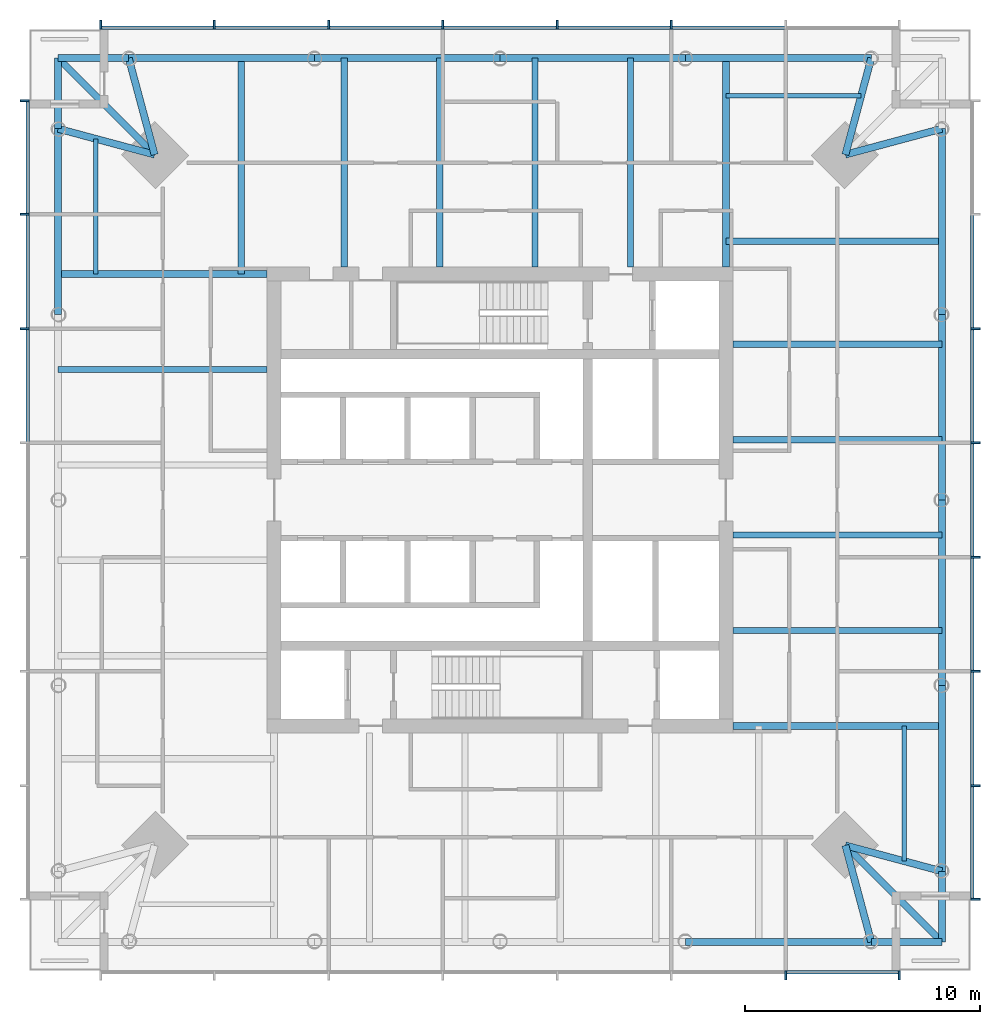
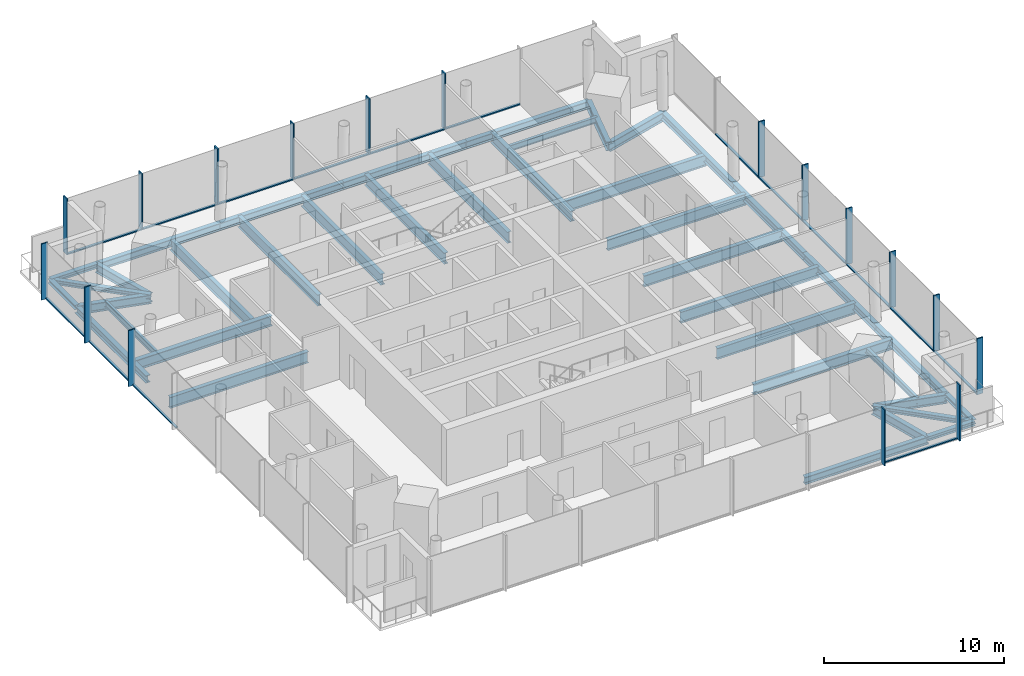
# One storey, part 2 of 7: 39 beams, 33 members, 4 elements without a shape of their own.
"""IFC4 building model written with IfcOpenShell, lengths in metres."""

from ifc_helpers import new_model, si_unit, direction, frame, origin, origin_2d, place, context, subcontext, project, spatial, rectangle, i_section, extrude, material, material_profile, profile_set, type_object, element, aggregate, save


model = new_model("IFC4")

# Units and contexts
model_context = context("Model", 3, precision=1e-05, world=origin(), true_north=direction((0.0, 1.0)))
body_context = subcontext(model_context, "Body", "Model", "MODEL_VIEW")
ifc_project = project(units=[si_unit("LENGTHUNIT", "METRE"), si_unit("AREAUNIT", "SQUARE_METRE"), si_unit("VOLUMEUNIT", "CUBIC_METRE"), si_unit("PLANEANGLEUNIT", "RADIAN"), si_unit("MASSUNIT", "GRAM", prefix="KILO")], contexts=[model_context])

# Site, building, storey
site_placement = place(None, origin())
site = spatial("IfcSite", under=ifc_project, at=site_placement, CompositionType="ELEMENT")
building_placement = place(site_placement, origin())
building = spatial("IfcBuilding", under=site, at=building_placement, Name="Ostroluk Exchange", CompositionType="ELEMENT")
storey_placement = place(building_placement, frame((0.0, 0.0, 184.39990234375)))
storey = spatial("IfcBuildingStorey", under=building, at=storey_placement, Name="L47", CompositionType="ELEMENT", Elevation=184.39990234375)

# Beams
ifc_material_1 = material(Name="Steel S355", Category="steel")
ifc_material_profile_1 = material_profile(ifc_material_1, i_section(OverallWidth=0.300048828125, OverallDepth=0.300048828125, WebThickness=0.010986328125, FlangeThickness=0.01904296875, FilletRadius=0.027099609375, at=origin_2d()), Name="HEB 300")
ifc_profile_set_1 = profile_set([ifc_material_profile_1], Name="Steel S355")
beam_type_1 = type_object("IfcBeamType", Name="Balcony beam HEB 300", PredefinedType="BEAM", material=ifc_profile_set_1)
for number, where, z_axis, x_axis, name in (
    (1, (29.221435546875, 64.778564453125, -0.329833984375), (-1.0, 0.0, 0.0), (0.0, -1.0, 0.0), "T1 north balcony beam a"),
    (2, (26.221435546875, 61.778564453125, -0.329833984375), (0.0, 1.0, 0.0), (-1.0, 0.0, 0.0), "T1 north balcony beam b"),
):
    element("IfcBeam", number, at=place(storey_placement, frame(where, z_axis=z_axis, x_axis=x_axis)), inside=storey, type_object=beam_type_1, Name=name, PredefinedType="BEAM", context=body_context, shape_type="SweptSolid", body=[
        extrude(i_section(OverallWidth=0.300048828125, OverallDepth=0.300048828125, WebThickness=0.010986328125, FlangeThickness=0.01904296875, FilletRadius=0.027099609375, at=origin_2d()), origin(), (0.0, 0.0, 1.0), 3.0),
    ])
beam_1_placement = place(storey_placement, frame((30.321533203125, 60.678466796875, -0.329833984375), z_axis=(-0.707106781187, 0.707106781187, 0.0), x_axis=(-0.707106781187, -0.707106781187, 0.0)))
element("IfcBeam", 3, at=beam_1_placement, inside=storey, type_object=beam_type_1, Name="T1 north balcony beam c", PredefinedType="BEAM", context=body_context, shape_type="SweptSolid", body=[
    extrude(i_section(OverallWidth=0.300048828125, OverallDepth=0.300048828125, WebThickness=0.010986328125, FlangeThickness=0.01904296875, FilletRadius=0.027099609375, at=origin_2d()), origin(), (0.0, 0.0, 1.0), 5.79833984375),
])
for number, where, z_axis, x_axis, name in (
    (4, (60.778564453125, 27.221435546875, -0.329833984375), (1.0, 0.0, 0.0), (0.0, 1.0, 0.0), "T1 south balcony beam a"),
    (5, (63.778564453125, 30.221435546875, -0.329833984375), (0.0, -1.0, 0.0), (1.0, 0.0, 0.0), "T1 south balcony beam b"),
):
    element("IfcBeam", number, at=place(storey_placement, frame(where, z_axis=z_axis, x_axis=x_axis)), inside=storey, type_object=beam_type_1, Name=name, PredefinedType="BEAM", context=body_context, shape_type="SweptSolid", body=[
        extrude(i_section(OverallWidth=0.300048828125, OverallDepth=0.300048828125, WebThickness=0.010986328125, FlangeThickness=0.01904296875, FilletRadius=0.027099609375, at=origin_2d()), origin(), (0.0, 0.0, 1.0), 3.0),
    ])
beam_2_placement = place(storey_placement, frame((59.678466796875, 31.321533203125, -0.329833984375), z_axis=(0.707106781187, -0.707106781187, 0.0), x_axis=(0.707106781187, 0.707106781187, 0.0)))
element("IfcBeam", 6, at=beam_2_placement, inside=storey, type_object=beam_type_1, Name="T1 south balcony beam c", PredefinedType="BEAM", context=body_context, shape_type="SweptSolid", body=[
    extrude(i_section(OverallWidth=0.300048828125, OverallDepth=0.300048828125, WebThickness=0.010986328125, FlangeThickness=0.01904296875, FilletRadius=0.027099609375, at=origin_2d()), origin(), (0.0, 0.0, 1.0), 5.79833984375),
])
ifc_material_2 = material(Name="Steel S355", Category="steel")
ifc_material_profile_2 = material_profile(ifc_material_2, i_section(OverallWidth=0.300048828125, OverallDepth=0.60009765625, WebThickness=0.015380859375, FlangeThickness=0.030029296875, FilletRadius=0.027099609375, at=origin_2d()), Name="HEB 600")
ifc_profile_set_2 = profile_set([ifc_material_profile_2], Name="Steel S355")
beam_type_2 = type_object("IfcBeamType", Name="Corner edge beam HEB 600", PredefinedType="SPANDREL", material=ifc_profile_set_2)
for number, where, z_axis, x_axis, name in (
    (7, (59.678466796875, 60.678466796875, -0.47998046875), (0.965838624319, 0.259144268261, 0.0), (-0.259144268261, 0.965838624319, 0.0), "T1 east corner edge beam a"),
    (8, (59.678466796875, 60.678466796875, -0.47998046875), (0.259144268261, 0.965838624319, 0.0), (-0.965838624319, 0.259144268261, 0.0), "T1 east corner edge beam b"),
    (9, (30.321533203125, 60.678466796875, -0.47998046875), (-0.259144268261, 0.965838624319, 0.0), (-0.965838624319, -0.259144268261, 0.0), "T1 north corner edge beam a"),
    (10, (30.321533203125, 60.678466796875, -0.47998046875), (-0.965838624319, 0.259144268261, 0.0), (-0.259144268261, -0.965838624319, 0.0), "T1 north corner edge beam b"),
    (11, (59.678466796875, 31.321533203125, -0.47998046875), (0.259144268261, -0.965838624319, 0.0), (0.965838624319, 0.259144268261, 0.0), "T1 south corner edge beam a"),
    (12, (59.678466796875, 31.321533203125, -0.47998046875), (0.965838624319, -0.259144268261, 0.0), (0.259144268261, 0.965838624319, 0.0), "T1 south corner edge beam b"),
):
    element("IfcBeam", number, at=place(storey_placement, frame(where, z_axis=z_axis, x_axis=x_axis)), inside=storey, type_object=beam_type_2, Name=name, PredefinedType="SPANDREL", context=body_context, shape_type="SweptSolid", body=[
        extrude(i_section(OverallWidth=0.300048828125, OverallDepth=0.60009765625, WebThickness=0.015380859375, FlangeThickness=0.030029296875, FilletRadius=0.027099609375, at=origin_2d()), origin(), (0.0, 0.0, 1.0), 4.2451171875),
    ])
ifc_material_3 = material(Name="Steel S355", Category="steel")
ifc_material_profile_3 = material_profile(ifc_material_3, i_section(OverallWidth=0.179931640625, OverallDepth=0.39990234375, WebThickness=0.008544921875, FlangeThickness=0.013427734375, FilletRadius=0.02099609375, at=origin_2d()), Name="IPE 400")
ifc_profile_set_3 = profile_set([ifc_material_profile_3], Name="Steel S355")
beam_type_3 = type_object("IfcBeamType", Name="Floor beam IPE 400", PredefinedType="BEAM", material=ifc_profile_set_3)
for number, where, z_axis, x_axis, name in (
    (13, (54.60009765625, 63.178466796875, -0.3798828125), (1.0, 0.0, 0.0), (0.0, 1.0, 0.0), "T1 east floor beam 6"),
    (14, (27.821533203125, 55.60009765625, -0.3798828125), (0.0, 1.0, 0.0), (-1.0, 0.0, 0.0), "T1 north floor beam 6"),
    (15, (62.178466796875, 36.39990234375, -0.3798828125), (0.0, -1.0, 0.0), (1.0, 0.0, 0.0), "T1 south floor beam 6"),
):
    element("IfcBeam", number, at=place(storey_placement, frame(where, z_axis=z_axis, x_axis=x_axis)), inside=storey, type_object=beam_type_3, Name=name, PredefinedType="BEAM", context=body_context, shape_type="SweptSolid", body=[
        extrude(i_section(OverallWidth=0.179931640625, OverallDepth=0.39990234375, WebThickness=0.008544921875, FlangeThickness=0.013427734375, FilletRadius=0.02099609375, at=origin_2d()), origin(), (0.0, 0.0, 1.0), 5.749267578125),
    ])
ifc_material_4 = material(Name="Steel S355", Category="steel")
ifc_material_profile_4 = material_profile(ifc_material_4, i_section(OverallWidth=0.264892578125, OverallDepth=0.7529296875, WebThickness=0.01318359375, FlangeThickness=0.01708984375, FilletRadius=0.01708984375, at=origin_2d()), Name="IPE 750x147")
ifc_profile_set_4 = profile_set([ifc_material_profile_4], Name="Steel S355")
beam_type_4 = type_object("IfcBeamType", Name="Floor beam IPE 750x147", PredefinedType="BEAM", material=ifc_profile_set_4)
for number, where, z_axis, x_axis, name in (
    (16, (54.89990234375, 40.4541015625, -0.556396484375), (1.0, 0.0, 0.0), (0.0, 1.0, 0.0), "T1 east floor beam 1"),
    (17, (54.89990234375, 44.508056640625, -0.556396484375), (1.0, 0.0, 0.0), (0.0, 1.0, 0.0), "T1 east floor beam 2"),
    (18, (54.89990234375, 48.562255859375, -0.556396484375), (1.0, 0.0, 0.0), (0.0, 1.0, 0.0), "T1 east floor beam 3"),
    (19, (54.89990234375, 52.6162109375, -0.556396484375), (1.0, 0.0, 0.0), (0.0, 1.0, 0.0), "T1 east floor beam 4"),
):
    element("IfcBeam", number, at=place(storey_placement, frame(where, z_axis=z_axis, x_axis=x_axis)), inside=storey, type_object=beam_type_4, Name=name, PredefinedType="BEAM", context=body_context, shape_type="SweptSolid", body=[
        extrude(i_section(OverallWidth=0.264892578125, OverallDepth=0.7529296875, WebThickness=0.01318359375, FlangeThickness=0.01708984375, FilletRadius=0.01708984375, at=origin_2d()), origin(), (0.0, 0.0, 1.0), 8.878662109375),
    ])
beam_3_placement = place(storey_placement, frame((54.60009765625, 57.0, -0.556396484375), z_axis=(1.0, 0.0, 0.0), x_axis=(0.0, 1.0, 0.0)))
element("IfcBeam", 20, at=beam_3_placement, inside=storey, type_object=beam_type_4, Name="T1 east floor beam 5", PredefinedType="BEAM", context=body_context, shape_type="SweptSolid", body=[
    extrude(i_section(OverallWidth=0.264892578125, OverallDepth=0.7529296875, WebThickness=0.01318359375, FlangeThickness=0.01708984375, FilletRadius=0.01708984375, at=origin_2d()), origin(), (0.0, 0.0, 1.0), 9.178466796875),
])
for number, where, z_axis, x_axis, name in (
    (21, (50.5458984375, 55.89990234375, -0.556396484375), (0.0, 1.0, 0.0), (-1.0, 0.0, 0.0), "T1 north floor beam 1"),
    (22, (46.491943359375, 55.89990234375, -0.556396484375), (0.0, 1.0, 0.0), (-1.0, 0.0, 0.0), "T1 north floor beam 2"),
    (23, (42.437744140625, 55.89990234375, -0.556396484375), (0.0, 1.0, 0.0), (-1.0, 0.0, 0.0), "T1 north floor beam 3"),
    (24, (38.3837890625, 55.89990234375, -0.556396484375), (0.0, 1.0, 0.0), (-1.0, 0.0, 0.0), "T1 north floor beam 4"),
):
    element("IfcBeam", number, at=place(storey_placement, frame(where, z_axis=z_axis, x_axis=x_axis)), inside=storey, type_object=beam_type_4, Name=name, PredefinedType="BEAM", context=body_context, shape_type="SweptSolid", body=[
        extrude(i_section(OverallWidth=0.264892578125, OverallDepth=0.7529296875, WebThickness=0.01318359375, FlangeThickness=0.01708984375, FilletRadius=0.01708984375, at=origin_2d()), origin(), (0.0, 0.0, 1.0), 8.878662109375),
    ])
beam_4_placement = place(storey_placement, frame((34.0, 55.60009765625, -0.556396484375), z_axis=(0.0, 1.0, 0.0), x_axis=(-1.0, 0.0, 0.0)))
element("IfcBeam", 25, at=beam_4_placement, inside=storey, type_object=beam_type_4, Name="T1 north floor beam 5", PredefinedType="BEAM", context=body_context, shape_type="SweptSolid", body=[
    extrude(i_section(OverallWidth=0.264892578125, OverallDepth=0.7529296875, WebThickness=0.01318359375, FlangeThickness=0.01708984375, FilletRadius=0.01708984375, at=origin_2d()), origin(), (0.0, 0.0, 1.0), 9.178466796875),
])
beam_5_placement = place(storey_placement, frame((35.10009765625, 51.5458984375, -0.556396484375), z_axis=(-1.0, 0.0, 0.0), x_axis=(0.0, -1.0, 0.0)))
element("IfcBeam", 26, at=beam_5_placement, inside=storey, type_object=beam_type_4, Name="T1 west floor beam 1", PredefinedType="BEAM", context=body_context, shape_type="SweptSolid", body=[
    extrude(i_section(OverallWidth=0.264892578125, OverallDepth=0.7529296875, WebThickness=0.01318359375, FlangeThickness=0.01708984375, FilletRadius=0.01708984375, at=origin_2d()), origin(), (0.0, 0.0, 1.0), 8.878662109375),
])
ifc_material_5 = material(Name="Steel S355", Category="steel")
ifc_material_profile_5 = material_profile(ifc_material_5, i_section(OverallWidth=0.300048828125, OverallDepth=0.699951171875, WebThickness=0.01708984375, FlangeThickness=0.031982421875, FilletRadius=0.027099609375, at=origin_2d()), Name="HEB 700")
ifc_profile_set_5 = profile_set([ifc_material_profile_5], Name="Steel S355")
beam_type_5 = type_object("IfcBeamType", Name="Girder HEB 700", PredefinedType="BEAM", material=ifc_profile_set_5)
for number, where, z_axis, x_axis, name in (
    (27, (54.60009765625, 55.89990234375, -0.52978515625), (0.0, 1.0, 0.0), (-1.0, 0.0, 0.0), "T1 east girder"),
    (28, (35.10009765625, 55.60009765625, -0.52978515625), (-1.0, 0.0, 0.0), (0.0, -1.0, 0.0), "T1 north girder"),
    (29, (54.89990234375, 36.39990234375, -0.52978515625), (1.0, 0.0, 0.0), (0.0, 1.0, 0.0), "T1 south girder"),
):
    element("IfcBeam", number, at=place(storey_placement, frame(where, z_axis=z_axis, x_axis=x_axis)), inside=storey, type_object=beam_type_5, Name=name, PredefinedType="BEAM", context=body_context, shape_type="SweptSolid", body=[
        extrude(i_section(OverallWidth=0.300048828125, OverallDepth=0.699951171875, WebThickness=0.01708984375, FlangeThickness=0.031982421875, FilletRadius=0.027099609375, at=origin_2d()), origin(), (0.0, 0.0, 1.0), 8.878662109375),
    ])
ifc_material_6 = material(Name="Steel S355", Category="steel")
ifc_material_profile_6 = material_profile(ifc_material_6, i_section(OverallWidth=0.300048828125, OverallDepth=0.5, WebThickness=0.014404296875, FlangeThickness=0.028076171875, FilletRadius=0.027099609375, at=origin_2d()), Name="HEB 500")
ifc_profile_set_6 = profile_set([ifc_material_profile_6], Name="Steel S355")
beam_type_6 = type_object("IfcBeamType", Name="Moment-connected edge beam HEB 500", PredefinedType="SPANDREL", material=ifc_profile_set_6)
beam_6_placement = place(storey_placement, frame((63.778564453125, 30.221435546875, -0.429931640625), z_axis=(0.0, 1.0, 0.0), x_axis=(-1.0, 0.0, 0.0)))
element("IfcBeam", 30, at=beam_6_placement, inside=storey, type_object=beam_type_6, Name="T1 east edge beam 1", PredefinedType="SPANDREL", context=body_context, shape_type="SweptSolid", body=[
    extrude(i_section(OverallWidth=0.300048828125, OverallDepth=0.5, WebThickness=0.014404296875, FlangeThickness=0.028076171875, FilletRadius=0.027099609375, at=origin_2d()), origin(), (0.0, 0.0, 1.0), 7.88916015625),
])
for number, where, z_axis, x_axis, name in (
    (31, (63.778564453125, 38.110595703125, -0.429931640625), (0.0, 1.0, 0.0), (-1.0, 0.0, 0.0), "T1 east edge beam 2"),
    (32, (63.778564453125, 46.0, -0.429931640625), (0.0, 1.0, 0.0), (-1.0, 0.0, 0.0), "T1 east edge beam 3"),
):
    element("IfcBeam", number, at=place(storey_placement, frame(where, z_axis=z_axis, x_axis=x_axis)), inside=storey, type_object=beam_type_6, Name=name, PredefinedType="SPANDREL", context=body_context, shape_type="SweptSolid", body=[
        extrude(i_section(OverallWidth=0.300048828125, OverallDepth=0.5, WebThickness=0.014404296875, FlangeThickness=0.028076171875, FilletRadius=0.027099609375, at=origin_2d()), origin(), (0.0, 0.0, 1.0), 7.889404296875),
    ])
for number, where, z_axis, x_axis, name in (
    (33, (63.778564453125, 53.889404296875, -0.429931640625), (0.0, 1.0, 0.0), (-1.0, 0.0, 0.0), "T1 east edge beam 4"),
    (34, (60.778564453125, 64.778564453125, -0.429931640625), (-1.0, 0.0, 0.0), (0.0, -1.0, 0.0), "T1 north edge beam 1"),
):
    element("IfcBeam", number, at=place(storey_placement, frame(where, z_axis=z_axis, x_axis=x_axis)), inside=storey, type_object=beam_type_6, Name=name, PredefinedType="SPANDREL", context=body_context, shape_type="SweptSolid", body=[
        extrude(i_section(OverallWidth=0.300048828125, OverallDepth=0.5, WebThickness=0.014404296875, FlangeThickness=0.028076171875, FilletRadius=0.027099609375, at=origin_2d()), origin(), (0.0, 0.0, 1.0), 7.88916015625),
    ])
for number, where, z_axis, x_axis, name in (
    (35, (52.889404296875, 64.778564453125, -0.429931640625), (-1.0, 0.0, 0.0), (0.0, -1.0, 0.0), "T1 north edge beam 2"),
    (36, (45.0, 64.778564453125, -0.429931640625), (-1.0, 0.0, 0.0), (0.0, -1.0, 0.0), "T1 north edge beam 3"),
):
    element("IfcBeam", number, at=place(storey_placement, frame(where, z_axis=z_axis, x_axis=x_axis)), inside=storey, type_object=beam_type_6, Name=name, PredefinedType="SPANDREL", context=body_context, shape_type="SweptSolid", body=[
        extrude(i_section(OverallWidth=0.300048828125, OverallDepth=0.5, WebThickness=0.014404296875, FlangeThickness=0.028076171875, FilletRadius=0.027099609375, at=origin_2d()), origin(), (0.0, 0.0, 1.0), 7.889404296875),
    ])
for number, where, z_axis, x_axis, name in (
    (37, (37.110595703125, 64.778564453125, -0.429931640625), (-1.0, 0.0, 0.0), (0.0, -1.0, 0.0), "T1 north edge beam 4"),
    (38, (26.221435546875, 61.778564453125, -0.429931640625), (0.0, -1.0, 0.0), (1.0, 0.0, 0.0), "T1 west edge beam 1"),
    (39, (52.889404296875, 27.221435546875, -0.429931640625), (1.0, 0.0, 0.0), (0.0, 1.0, 0.0), "T1 south edge beam 4"),
):
    element("IfcBeam", number, at=place(storey_placement, frame(where, z_axis=z_axis, x_axis=x_axis)), inside=storey, type_object=beam_type_6, Name=name, PredefinedType="SPANDREL", context=body_context, shape_type="SweptSolid", body=[
        extrude(i_section(OverallWidth=0.300048828125, OverallDepth=0.5, WebThickness=0.014404296875, FlangeThickness=0.028076171875, FilletRadius=0.027099609375, at=origin_2d()), origin(), (0.0, 0.0, 1.0), 7.88916015625),
    ])

# Curtain wall, member
ifc_material_7 = material(Name="Laminated clear glass", Category="glass")
curtain_wall_type = type_object("IfcCurtainWallType", Name="Office tower facade", PredefinedType="USERDEFINED", material=ifc_material_7)
curtain_wall_1_placement = place(storey_placement, origin())
curtain_wall_1 = element("IfcCurtainWall", 40, at=curtain_wall_1_placement, inside=storey, type_object=curtain_wall_type, Name="Office tower south facade L47", ObjectType="UNITISED CURTAIN WALL", PredefinedType="USERDEFINED")
ifc_material_8 = material(Name="Aluminium mullion", Category="aluminium")
ifc_material_profile_7 = material_profile(ifc_material_8, rectangle(XDim=0.14990234375, YDim=0.080078125, at=origin_2d()), Name="Sill transom 80 x 150")
ifc_profile_set_7 = profile_set([ifc_material_profile_7], Name="Aluminium mullion")
member_type_1 = type_object("IfcMemberType", Name="Sill transom 80 x 150", PredefinedType="USERDEFINED", material=ifc_profile_set_7)
member_1_placement = place(storey_placement, frame((57.182861328125, 25.925048828125, 0.0400390625), z_axis=(1.0, 0.0, 0.0), x_axis=(0.0, 1.0, 0.0)))
member_1 = element("IfcMember", 41, at=member_1_placement, type_object=member_type_1, Name="CW-O1 transom 7.1", ObjectType="TRANSOM", PredefinedType="USERDEFINED", context=body_context, shape_type="SweptSolid", body=[
    extrude(rectangle(XDim=0.14990234375, YDim=0.080078125, at=origin_2d()), origin(), (0.0, 0.0, 1.0), 4.737060546875),
])

# Curtain wall, members
curtain_wall_2_placement = place(storey_placement, origin())
curtain_wall_2 = element("IfcCurtainWall", 42, at=curtain_wall_2_placement, inside=storey, type_object=curtain_wall_type, Name="Office tower east facade L47", ObjectType="UNITISED CURTAIN WALL", PredefinedType="USERDEFINED")
member_2_placement = place(storey_placement, frame((65.074951171875, 29.080078125, 0.0400390625), z_axis=(0.0, 1.0, 0.0), x_axis=(-1.0, 0.0, 0.0)))
member_2 = element("IfcMember", 43, at=member_2_placement, type_object=member_type_1, Name="CW-O1 transom 1.1", ObjectType="TRANSOM", PredefinedType="USERDEFINED", context=body_context, shape_type="SweptSolid", body=[
    extrude(rectangle(XDim=0.14990234375, YDim=0.080078125, at=origin_2d()), origin(), (0.0, 0.0, 1.0), 4.737060546875),
])
member_3_placement = place(storey_placement, frame((65.074951171875, 33.897216796875, 0.0400390625), z_axis=(0.0, 1.0, 0.0), x_axis=(-1.0, 0.0, 0.0)))
member_3 = element("IfcMember", 44, at=member_3_placement, type_object=member_type_1, Name="CW-O1 transom 2.1", ObjectType="TRANSOM", PredefinedType="USERDEFINED", context=body_context, shape_type="SweptSolid", body=[
    extrude(rectangle(XDim=0.14990234375, YDim=0.080078125, at=origin_2d()), origin(), (0.0, 0.0, 1.0), 4.777099609375),
])
member_4_placement = place(storey_placement, frame((65.074951171875, 38.75439453125, 0.0400390625), z_axis=(0.0, 1.0, 0.0), x_axis=(-1.0, 0.0, 0.0)))
member_4 = element("IfcMember", 45, at=member_4_placement, type_object=member_type_1, Name="CW-O1 transom 3.1", ObjectType="TRANSOM", PredefinedType="USERDEFINED", context=body_context, shape_type="SweptSolid", body=[
    extrude(rectangle(XDim=0.14990234375, YDim=0.080078125, at=origin_2d()), origin(), (0.0, 0.0, 1.0), 4.777099609375),
])
member_5_placement = place(storey_placement, frame((65.074951171875, 43.611328125, 0.0400390625), z_axis=(0.0, 1.0, 0.0), x_axis=(-1.0, 0.0, 0.0)))
member_5 = element("IfcMember", 46, at=member_5_placement, type_object=member_type_1, Name="CW-O1 transom 4.1", ObjectType="TRANSOM", PredefinedType="USERDEFINED", context=body_context, shape_type="SweptSolid", body=[
    extrude(rectangle(XDim=0.14990234375, YDim=0.080078125, at=origin_2d()), origin(), (0.0, 0.0, 1.0), 4.77734375),
])
member_6_placement = place(storey_placement, frame((65.074951171875, 48.468505859375, 0.0400390625), z_axis=(0.0, 1.0, 0.0), x_axis=(-1.0, 0.0, 0.0)))
member_6 = element("IfcMember", 47, at=member_6_placement, type_object=member_type_1, Name="CW-O1 transom 5.1", ObjectType="TRANSOM", PredefinedType="USERDEFINED", context=body_context, shape_type="SweptSolid", body=[
    extrude(rectangle(XDim=0.14990234375, YDim=0.080078125, at=origin_2d()), origin(), (0.0, 0.0, 1.0), 4.777099609375),
])
member_7_placement = place(storey_placement, frame((65.074951171875, 53.32568359375, 0.0400390625), z_axis=(0.0, 1.0, 0.0), x_axis=(-1.0, 0.0, 0.0)))
member_7 = element("IfcMember", 48, at=member_7_placement, type_object=member_type_1, Name="CW-O1 transom 6.1", ObjectType="TRANSOM", PredefinedType="USERDEFINED", context=body_context, shape_type="SweptSolid", body=[
    extrude(rectangle(XDim=0.14990234375, YDim=0.080078125, at=origin_2d()), origin(), (0.0, 0.0, 1.0), 4.777099609375),
])

curtain_wall_3_placement = place(storey_placement, origin())
curtain_wall_3 = element("IfcCurtainWall", 49, at=curtain_wall_3_placement, inside=storey, type_object=curtain_wall_type, Name="Office tower north facade L47", ObjectType="UNITISED CURTAIN WALL", PredefinedType="USERDEFINED")
member_8_placement = place(storey_placement, frame((57.102783203125, 66.074951171875, 0.0400390625), z_axis=(-1.0, 0.0, 0.0), x_axis=(0.0, -1.0, 0.0)))
member_8 = element("IfcMember", 50, at=member_8_placement, type_object=member_type_1, Name="CW-O1 transom 2.1", ObjectType="TRANSOM", PredefinedType="USERDEFINED", context=body_context, shape_type="SweptSolid", body=[
    extrude(rectangle(XDim=0.14990234375, YDim=0.080078125, at=origin_2d()), origin(), (0.0, 0.0, 1.0), 4.777099609375),
])
member_9_placement = place(storey_placement, frame((52.24560546875, 66.074951171875, 0.0400390625), z_axis=(-1.0, 0.0, 0.0), x_axis=(0.0, -1.0, 0.0)))
member_9 = element("IfcMember", 51, at=member_9_placement, type_object=member_type_1, Name="CW-O1 transom 3.1", ObjectType="TRANSOM", PredefinedType="USERDEFINED", context=body_context, shape_type="SweptSolid", body=[
    extrude(rectangle(XDim=0.14990234375, YDim=0.080078125, at=origin_2d()), origin(), (0.0, 0.0, 1.0), 4.777099609375),
])
member_10_placement = place(storey_placement, frame((47.388671875, 66.074951171875, 0.0400390625), z_axis=(-1.0, 0.0, 0.0), x_axis=(0.0, -1.0, 0.0)))
member_10 = element("IfcMember", 52, at=member_10_placement, type_object=member_type_1, Name="CW-O1 transom 4.1", ObjectType="TRANSOM", PredefinedType="USERDEFINED", context=body_context, shape_type="SweptSolid", body=[
    extrude(rectangle(XDim=0.14990234375, YDim=0.080078125, at=origin_2d()), origin(), (0.0, 0.0, 1.0), 4.77734375),
])
member_11_placement = place(storey_placement, frame((42.531494140625, 66.074951171875, 0.0400390625), z_axis=(-1.0, 0.0, 0.0), x_axis=(0.0, -1.0, 0.0)))
member_11 = element("IfcMember", 53, at=member_11_placement, type_object=member_type_1, Name="CW-O1 transom 5.1", ObjectType="TRANSOM", PredefinedType="USERDEFINED", context=body_context, shape_type="SweptSolid", body=[
    extrude(rectangle(XDim=0.14990234375, YDim=0.080078125, at=origin_2d()), origin(), (0.0, 0.0, 1.0), 4.777099609375),
])
member_12_placement = place(storey_placement, frame((37.67431640625, 66.074951171875, 0.0400390625), z_axis=(-1.0, 0.0, 0.0), x_axis=(0.0, -1.0, 0.0)))
member_12 = element("IfcMember", 54, at=member_12_placement, type_object=member_type_1, Name="CW-O1 transom 6.1", ObjectType="TRANSOM", PredefinedType="USERDEFINED", context=body_context, shape_type="SweptSolid", body=[
    extrude(rectangle(XDim=0.14990234375, YDim=0.080078125, at=origin_2d()), origin(), (0.0, 0.0, 1.0), 4.777099609375),
])
member_13_placement = place(storey_placement, frame((32.817138671875, 66.074951171875, 0.0400390625), z_axis=(-1.0, 0.0, 0.0), x_axis=(0.0, -1.0, 0.0)))
member_13 = element("IfcMember", 55, at=member_13_placement, type_object=member_type_1, Name="CW-O1 transom 7.1", ObjectType="TRANSOM", PredefinedType="USERDEFINED", context=body_context, shape_type="SweptSolid", body=[
    extrude(rectangle(XDim=0.14990234375, YDim=0.080078125, at=origin_2d()), origin(), (0.0, 0.0, 1.0), 4.737060546875),
])

curtain_wall_4_placement = place(storey_placement, origin())
curtain_wall_4 = element("IfcCurtainWall", 56, at=curtain_wall_4_placement, inside=storey, type_object=curtain_wall_type, Name="Office tower west facade L47", ObjectType="UNITISED CURTAIN WALL", PredefinedType="USERDEFINED")
member_14_placement = place(storey_placement, frame((24.925048828125, 62.919921875, 0.0400390625), z_axis=(0.0, -1.0, 0.0), x_axis=(1.0, 0.0, 0.0)))
member_14 = element("IfcMember", 57, at=member_14_placement, type_object=member_type_1, Name="CW-O1 transom 1.1", ObjectType="TRANSOM", PredefinedType="USERDEFINED", context=body_context, shape_type="SweptSolid", body=[
    extrude(rectangle(XDim=0.14990234375, YDim=0.080078125, at=origin_2d()), origin(), (0.0, 0.0, 1.0), 4.737060546875),
])
member_15_placement = place(storey_placement, frame((24.925048828125, 58.102783203125, 0.0400390625), z_axis=(0.0, -1.0, 0.0), x_axis=(1.0, 0.0, 0.0)))
member_15 = element("IfcMember", 58, at=member_15_placement, type_object=member_type_1, Name="CW-O1 transom 2.1", ObjectType="TRANSOM", PredefinedType="USERDEFINED", context=body_context, shape_type="SweptSolid", body=[
    extrude(rectangle(XDim=0.14990234375, YDim=0.080078125, at=origin_2d()), origin(), (0.0, 0.0, 1.0), 4.777099609375),
])
member_16_placement = place(storey_placement, frame((24.925048828125, 53.24560546875, 0.0400390625), z_axis=(0.0, -1.0, 0.0), x_axis=(1.0, 0.0, 0.0)))
member_16 = element("IfcMember", 59, at=member_16_placement, type_object=member_type_1, Name="CW-O1 transom 3.1", ObjectType="TRANSOM", PredefinedType="USERDEFINED", context=body_context, shape_type="SweptSolid", body=[
    extrude(rectangle(XDim=0.14990234375, YDim=0.080078125, at=origin_2d()), origin(), (0.0, 0.0, 1.0), 4.777099609375),
])

# Member
ifc_material_9 = material(Name="Aluminium mullion with limestone facing", Category="masonry")
ifc_material_profile_8 = material_profile(ifc_material_9, rectangle(XDim=0.39990234375, YDim=0.080078125, at=origin_2d()), Name="Tracery mullion 80 x 400")
ifc_profile_set_8 = profile_set([ifc_material_profile_8], Name="Aluminium mullion with limestone facing")
member_type_2 = type_object("IfcMemberType", Name="Tracery mullion 80 x 400", PredefinedType="MULLION", material=ifc_profile_set_8)
member_17_placement = place(storey_placement, frame((57.142822265625, 25.800048828125, 0.0), z_axis=(0.0, 0.0, 1.0), x_axis=(0.0, 1.0, 0.0)))
member_17 = element("IfcMember", 60, at=member_17_placement, type_object=member_type_2, Name="CW-O1 mullion 7", PredefinedType="MULLION", context=body_context, shape_type="SweptSolid", body=[
    extrude(rectangle(XDim=0.39990234375, YDim=0.080078125, at=origin_2d()), origin(), (0.0, 0.0, 1.0), 3.800048828125),
])

member_18_placement = place(storey_placement, frame((61.9599609375, 25.800048828125, 0.0), z_axis=(0.0, 0.0, 1.0), x_axis=(0.0, 1.0, 0.0)))
member_18 = element("IfcMember", 61, at=member_18_placement, type_object=member_type_2, Name="CW-O1 mullion 8", PredefinedType="MULLION", context=body_context, shape_type="SweptSolid", body=[
    extrude(rectangle(XDim=0.39990234375, YDim=0.080078125, at=origin_2d()), origin(), (0.0, 0.0, 1.0), 3.800048828125),
])

aggregate(curtain_wall_1, [member_17, member_18, member_1])

member_19_placement = place(storey_placement, frame((65.199951171875, 29.0400390625, 0.0), z_axis=(0.0, 0.0, 1.0), x_axis=(-1.0, 0.0, 0.0)))
member_19 = element("IfcMember", 62, at=member_19_placement, type_object=member_type_2, Name="CW-O1 mullion 1", PredefinedType="MULLION", context=body_context, shape_type="SweptSolid", body=[
    extrude(rectangle(XDim=0.39990234375, YDim=0.080078125, at=origin_2d()), origin(), (0.0, 0.0, 1.0), 3.800048828125),
])

member_20_placement = place(storey_placement, frame((65.199951171875, 33.857177734375, 0.0), z_axis=(0.0, 0.0, 1.0), x_axis=(-1.0, 0.0, 0.0)))
member_20 = element("IfcMember", 63, at=member_20_placement, type_object=member_type_2, Name="CW-O1 mullion 2", PredefinedType="MULLION", context=body_context, shape_type="SweptSolid", body=[
    extrude(rectangle(XDim=0.39990234375, YDim=0.080078125, at=origin_2d()), origin(), (0.0, 0.0, 1.0), 3.800048828125),
])

member_21_placement = place(storey_placement, frame((65.199951171875, 38.71435546875, 0.0), z_axis=(0.0, 0.0, 1.0), x_axis=(-1.0, 0.0, 0.0)))
member_21 = element("IfcMember", 64, at=member_21_placement, type_object=member_type_2, Name="CW-O1 mullion 3", PredefinedType="MULLION", context=body_context, shape_type="SweptSolid", body=[
    extrude(rectangle(XDim=0.39990234375, YDim=0.080078125, at=origin_2d()), origin(), (0.0, 0.0, 1.0), 3.800048828125),
])

member_22_placement = place(storey_placement, frame((65.199951171875, 43.571533203125, 0.0), z_axis=(0.0, 0.0, 1.0), x_axis=(-1.0, 0.0, 0.0)))
member_22 = element("IfcMember", 65, at=member_22_placement, type_object=member_type_2, Name="CW-O1 mullion 4", PredefinedType="MULLION", context=body_context, shape_type="SweptSolid", body=[
    extrude(rectangle(XDim=0.39990234375, YDim=0.080078125, at=origin_2d()), origin(), (0.0, 0.0, 1.0), 3.800048828125),
])

member_23_placement = place(storey_placement, frame((65.199951171875, 48.428466796875, 0.0), z_axis=(0.0, 0.0, 1.0), x_axis=(-1.0, 0.0, 0.0)))
member_23 = element("IfcMember", 66, at=member_23_placement, type_object=member_type_2, Name="CW-O1 mullion 5", PredefinedType="MULLION", context=body_context, shape_type="SweptSolid", body=[
    extrude(rectangle(XDim=0.39990234375, YDim=0.080078125, at=origin_2d()), origin(), (0.0, 0.0, 1.0), 3.800048828125),
])

member_24_placement = place(storey_placement, frame((65.199951171875, 53.28564453125, 0.0), z_axis=(0.0, 0.0, 1.0), x_axis=(-1.0, 0.0, 0.0)))
member_24 = element("IfcMember", 67, at=member_24_placement, type_object=member_type_2, Name="CW-O1 mullion 6", PredefinedType="MULLION", context=body_context, shape_type="SweptSolid", body=[
    extrude(rectangle(XDim=0.39990234375, YDim=0.080078125, at=origin_2d()), origin(), (0.0, 0.0, 1.0), 3.800048828125),
])

aggregate(curtain_wall_2, [member_19, member_20, member_21, member_22, member_23, member_24, member_2, member_3, member_4, member_5, member_6, member_7])

member_25_placement = place(storey_placement, frame((52.28564453125, 66.199951171875, 0.0), z_axis=(0.0, 0.0, 1.0), x_axis=(0.0, -1.0, 0.0)))
member_25 = element("IfcMember", 68, at=member_25_placement, type_object=member_type_2, Name="CW-O1 mullion 3", PredefinedType="MULLION", context=body_context, shape_type="SweptSolid", body=[
    extrude(rectangle(XDim=0.39990234375, YDim=0.080078125, at=origin_2d()), origin(), (0.0, 0.0, 1.0), 3.800048828125),
])

member_26_placement = place(storey_placement, frame((47.428466796875, 66.199951171875, 0.0), z_axis=(0.0, 0.0, 1.0), x_axis=(0.0, -1.0, 0.0)))
member_26 = element("IfcMember", 69, at=member_26_placement, type_object=member_type_2, Name="CW-O1 mullion 4", PredefinedType="MULLION", context=body_context, shape_type="SweptSolid", body=[
    extrude(rectangle(XDim=0.39990234375, YDim=0.080078125, at=origin_2d()), origin(), (0.0, 0.0, 1.0), 3.800048828125),
])

member_27_placement = place(storey_placement, frame((42.571533203125, 66.199951171875, 0.0), z_axis=(0.0, 0.0, 1.0), x_axis=(0.0, -1.0, 0.0)))
member_27 = element("IfcMember", 70, at=member_27_placement, type_object=member_type_2, Name="CW-O1 mullion 5", PredefinedType="MULLION", context=body_context, shape_type="SweptSolid", body=[
    extrude(rectangle(XDim=0.39990234375, YDim=0.080078125, at=origin_2d()), origin(), (0.0, 0.0, 1.0), 3.800048828125),
])

member_28_placement = place(storey_placement, frame((37.71435546875, 66.199951171875, 0.0), z_axis=(0.0, 0.0, 1.0), x_axis=(0.0, -1.0, 0.0)))
member_28 = element("IfcMember", 71, at=member_28_placement, type_object=member_type_2, Name="CW-O1 mullion 6", PredefinedType="MULLION", context=body_context, shape_type="SweptSolid", body=[
    extrude(rectangle(XDim=0.39990234375, YDim=0.080078125, at=origin_2d()), origin(), (0.0, 0.0, 1.0), 3.800048828125),
])

member_29_placement = place(storey_placement, frame((32.857177734375, 66.199951171875, 0.0), z_axis=(0.0, 0.0, 1.0), x_axis=(0.0, -1.0, 0.0)))
member_29 = element("IfcMember", 72, at=member_29_placement, type_object=member_type_2, Name="CW-O1 mullion 7", PredefinedType="MULLION", context=body_context, shape_type="SweptSolid", body=[
    extrude(rectangle(XDim=0.39990234375, YDim=0.080078125, at=origin_2d()), origin(), (0.0, 0.0, 1.0), 3.800048828125),
])

member_30_placement = place(storey_placement, frame((28.0400390625, 66.199951171875, 0.0), z_axis=(0.0, 0.0, 1.0), x_axis=(0.0, -1.0, 0.0)))
member_30 = element("IfcMember", 73, at=member_30_placement, type_object=member_type_2, Name="CW-O1 mullion 8", PredefinedType="MULLION", context=body_context, shape_type="SweptSolid", body=[
    extrude(rectangle(XDim=0.39990234375, YDim=0.080078125, at=origin_2d()), origin(), (0.0, 0.0, 1.0), 3.800048828125),
])

aggregate(curtain_wall_3, [member_25, member_26, member_27, member_28, member_29, member_30, member_8, member_9, member_10, member_11, member_12, member_13])

member_31_placement = place(storey_placement, frame((24.800048828125, 62.9599609375, 0.0), z_axis=(0.0, 0.0, 1.0), x_axis=(1.0, 0.0, 0.0)))
member_31 = element("IfcMember", 74, at=member_31_placement, type_object=member_type_2, Name="CW-O1 mullion 1", PredefinedType="MULLION", context=body_context, shape_type="SweptSolid", body=[
    extrude(rectangle(XDim=0.39990234375, YDim=0.080078125, at=origin_2d()), origin(), (0.0, 0.0, 1.0), 3.800048828125),
])

member_32_placement = place(storey_placement, frame((24.800048828125, 58.142822265625, 0.0), z_axis=(0.0, 0.0, 1.0), x_axis=(1.0, 0.0, 0.0)))
member_32 = element("IfcMember", 75, at=member_32_placement, type_object=member_type_2, Name="CW-O1 mullion 2", PredefinedType="MULLION", context=body_context, shape_type="SweptSolid", body=[
    extrude(rectangle(XDim=0.39990234375, YDim=0.080078125, at=origin_2d()), origin(), (0.0, 0.0, 1.0), 3.800048828125),
])

member_33_placement = place(storey_placement, frame((24.800048828125, 53.28564453125, 0.0), z_axis=(0.0, 0.0, 1.0), x_axis=(1.0, 0.0, 0.0)))
member_33 = element("IfcMember", 76, at=member_33_placement, type_object=member_type_2, Name="CW-O1 mullion 3", PredefinedType="MULLION", context=body_context, shape_type="SweptSolid", body=[
    extrude(rectangle(XDim=0.39990234375, YDim=0.080078125, at=origin_2d()), origin(), (0.0, 0.0, 1.0), 3.800048828125),
])

aggregate(curtain_wall_4, [member_31, member_32, member_33, member_14, member_15, member_16])

save(model, "model.ifc")
